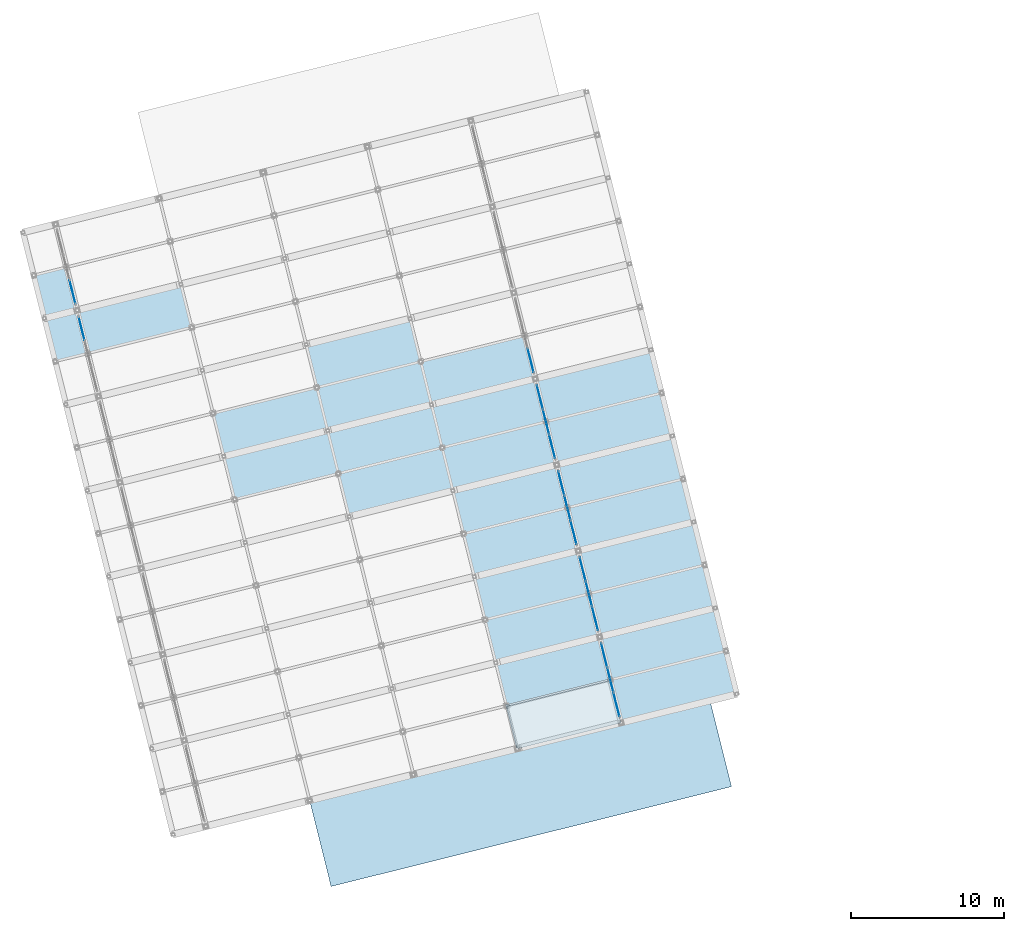
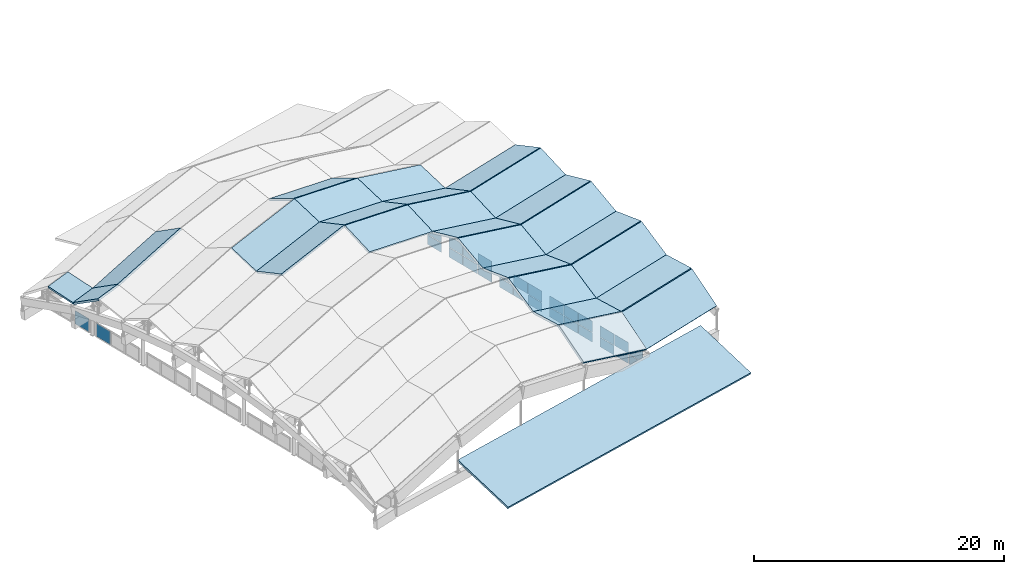
# One storey, part 54 of 65: 28 plates, 27 slabs, 7 elements without a shape of their own.
"""IFC4 building model written with IfcOpenShell, lengths in metres."""

import ifcopenshell
import ifcopenshell.guid

model = None  # the IFC model being written
_history = None  # IfcOwnerHistory: only IFC2X3 demands one
_inside = {}  # id of a spatial element -> (the spatial element, [elements in it])
_under = {}  # id of a project, library or spatial element -> (it, [spatial elements below it])
_declared = {}  # id of a project -> (the project, [libraries it declares])
_typed = {}  # id of a type object -> (the type object, [elements of that type])
_made_of = {}  # id of a material, layer set ... -> (it, [elements and type objects made of it])


def new_model(schema):
    """Start an empty IFC model of exactly this schema.

    Asked for "IFC4X3", IfcOpenShell would pick the latest addendum, in which some entities
    have other attributes; the version numbers below select the first issue.
    IFC2X3 requires an IfcOwnerHistory on every rooted entity: one is made here for all.
    """
    global model, _history
    if schema == "IFC4X3":
        model = ifcopenshell.file(schema_version=(4, 3, 0, 0))
    else:
        model = ifcopenshell.file(schema=schema)
    _inside.clear()
    _under.clear()
    _declared.clear()
    _typed.clear()
    _made_of.clear()
    _history = None
    if model.schema == "IFC2X3":
        org = make("IfcOrganization", Name="unknown")
        user = make(
            "IfcPersonAndOrganization",
            ThePerson=make("IfcPerson", FamilyName="unknown"),
            TheOrganization=org,
        )
        app = make(
            "IfcApplication",
            ApplicationDeveloper=org,
            Version="unknown",
            ApplicationFullName="unknown",
            ApplicationIdentifier="unknown",
        )
        _history = make(
            "IfcOwnerHistory",
            OwningUser=user,
            OwningApplication=app,
            ChangeAction="ADDED",
            CreationDate=0,
        )
    return model


def make(cls, **values):
    """One entity of the class cls with the attributes given. An attribute that is None is left unset."""
    return model.create_entity(
        cls, **{name: value for name, value in values.items() if value is not None}
    )


def rooted(cls, **values):
    """An entity with a GlobalId (a new one), such as an element, a storey or a relation."""
    return make(cls, GlobalId=ifcopenshell.guid.new(), OwnerHistory=_history, **values)


def si_unit(unit_type, name, prefix=None):
    """IfcSIUnit, for example si_unit("LENGTHUNIT", "METRE", prefix="MILLI")."""
    return make("IfcSIUnit", UnitType=unit_type, Prefix=prefix, Name=name)


def assignment(units):
    """IfcUnitAssignment: the units of a project."""
    return None if units is None else make("IfcUnitAssignment", Units=units)


def point(xyz):
    """IfcCartesianPoint."""
    return None if xyz is None else make("IfcCartesianPoint", Coordinates=xyz)


def direction(xyz):
    """IfcDirection."""
    return None if xyz is None else make("IfcDirection", DirectionRatios=xyz)


def frame(location, z_axis=None, x_axis=None):
    """IfcAxis2Placement3D, a coordinate frame: its origin and axes. An axis left out is left unset."""
    return make(
        "IfcAxis2Placement3D",
        Location=point(location),
        Axis=direction(z_axis),
        RefDirection=direction(x_axis),
    )


def frame_2d(location, x_axis=None):
    """IfcAxis2Placement2D, a coordinate frame in the plane: its origin and x axis."""
    return make(
        "IfcAxis2Placement2D", Location=point(location), RefDirection=direction(x_axis)
    )


def origin():
    """The frame at (0, 0, 0) with its axes left unset."""
    return frame((0.0, 0.0, 0.0))


def origin_2d():
    """The frame at (0, 0) in the plane with its x axis left unset."""
    return frame_2d((0.0, 0.0))


def place(relative_to, where):
    """IfcLocalPlacement: puts the frame where relative to a parent placement (None: the world)."""
    return make(
        "IfcLocalPlacement", PlacementRelTo=relative_to, RelativePlacement=where
    )


def context(
    kind, dimensions, precision=None, world=None, true_north=None, identifier=None
):
    """IfcGeometricRepresentationContext, for example the 3D "Model" context."""
    return make(
        "IfcGeometricRepresentationContext",
        ContextIdentifier=identifier,
        ContextType=kind,
        CoordinateSpaceDimension=dimensions,
        Precision=precision,
        WorldCoordinateSystem=world,
        TrueNorth=true_north,
    )


def subcontext(parent, identifier, kind, view, scale=None):
    """IfcGeometricRepresentationSubContext, for example "Body" below "Model"."""
    return make(
        "IfcGeometricRepresentationSubContext",
        ContextIdentifier=identifier,
        ContextType=kind,
        ParentContext=parent,
        TargetScale=scale,
        TargetView=view,
    )


def project(units=None, contexts=None):
    """IfcProject with its units and contexts."""
    return rooted(
        "IfcProject",
        Name="project",
        RepresentationContexts=contexts,
        UnitsInContext=assignment(units),
    )


def spatial(cls, under=None, at=None, **own):
    """A site, building, storey or space (cls), placed at a placement, below another one or the project."""
    s = rooted(cls, ObjectPlacement=at, **own)
    if under is not None:
        _under.setdefault(under.id(), (under, []))[1].append(s)
    return s


def polyline(points):
    """IfcPolyline through the points."""
    return make("IfcPolyline", Points=[point(p) for p in points])


def profile(cls, at=None, kind="AREA", **sizes):
    """A parametric profile (cls). Its sizes go by their IFC names, for example OverallWidth=200.0."""
    return make(cls, ProfileType=kind, Position=at, **sizes)


def rectangle(**sizes):
    """IfcRectangleProfileDef."""
    return profile("IfcRectangleProfileDef", **sizes)


def outline(outer, holes=None, kind="AREA"):
    """IfcArbitraryClosedProfileDef: a profile drawn as a closed curve; with holes, ...WithVoids."""
    if holes is None:
        return make("IfcArbitraryClosedProfileDef", ProfileType=kind, OuterCurve=outer)
    return make(
        "IfcArbitraryProfileDefWithVoids",
        ProfileType=kind,
        OuterCurve=outer,
        InnerCurves=holes,
    )


def extrude(swept, where, along, depth):
    """IfcExtrudedAreaSolid: the profile swept, set in the frame where, extruded along a direction by depth."""
    return make(
        "IfcExtrudedAreaSolid",
        SweptArea=swept,
        Position=where,
        ExtrudedDirection=direction(along),
        Depth=depth,
    )


def shape(context_of_items, identifier, shape_type, items):
    """IfcShapeRepresentation: the items that make up one representation, for example the "Body"."""
    return make(
        "IfcShapeRepresentation",
        ContextOfItems=context_of_items,
        RepresentationIdentifier=identifier,
        RepresentationType=shape_type,
        Items=items,
    )


def material(Name=None, Category=None):
    """IfcMaterial."""
    return make("IfcMaterial", Name=Name, Category=Category)


def layer(
    of_material, thickness, ventilated=None, Name=None, Category=None, Priority=None
):
    """IfcMaterialLayer: one layer of a wall or slab, of a material (None: an air gap)."""
    return make(
        "IfcMaterialLayer",
        Material=of_material,
        LayerThickness=thickness,
        IsVentilated=ventilated,
        Name=Name,
        Category=Category,
        Priority=Priority,
    )


def layer_set(layers, Name=None):
    """IfcMaterialLayerSet."""
    return make("IfcMaterialLayerSet", MaterialLayers=layers, LayerSetName=Name)


def made_of(thing, what):
    """Note that an element or type object is made of a material, layer set ...; save() writes the relation."""
    if what is not None:
        _made_of.setdefault(what.id(), (what, []))[1].append(thing)
    return thing


def type_object(cls, material=None, **own):
    """A type object (cls), such as IfcWallType, which elements share."""
    return made_of(rooted(cls, **own), material)


def element(
    cls,
    number,
    at=None,
    inside=None,
    cuts=None,
    type_object=None,
    material=None,
    context=None,
    identifier="Body",
    shape_type=None,
    held_by="IfcProductDefinitionShape",
    body=None,
    shapes=None,
    **own,
):
    """One element of the class cls, such as IfcWall. Its Tag is "e" and its number.

    at: its placement. inside: the storey or other place that contains it. cuts: it is an
    opening in that element (IfcRelVoidsElement). A single representation is given by context,
    identifier, shape_type and body (its items); several are given by shapes. held_by: the class
    of the entity that holds the representations. save() writes the other relations.
    """
    e = rooted(cls, Tag="e%d" % number, ObjectPlacement=at, **own)
    if body is not None:
        shapes = [shape(context, identifier, shape_type, body)]
    if shapes is not None:
        e.Representation = make(held_by, Representations=shapes)
    if inside is not None:
        _inside.setdefault(inside.id(), (inside, []))[1].append(e)
    if cuts is not None:
        rooted(
            "IfcRelVoidsElement", RelatingBuildingElement=cuts, RelatedOpeningElement=e
        )
    if type_object is not None:
        _typed.setdefault(type_object.id(), (type_object, []))[1].append(e)
    return made_of(e, material)


def aggregate(whole, parts):
    """IfcRelAggregates: a whole, such as a stair, and the parts it consists of."""
    return rooted("IfcRelAggregates", RelatingObject=whole, RelatedObjects=parts)


def save(model, path):
    """Write the relations noted so far, then the file.

    IfcRelAggregates (storeys below a building ...), IfcRelContainedInSpatialStructure (elements
    in a storey), IfcRelDefinesByType, IfcRelAssociatesMaterial and IfcRelDeclares: one each for
    every whole, place, type object, material and project.
    """
    for whole, parts in _under.values():
        aggregate(whole, parts)
    for where, things in _inside.values():
        rooted(
            "IfcRelContainedInSpatialStructure",
            RelatedElements=things,
            RelatingStructure=where,
        )
    for kind, things in _typed.values():
        rooted("IfcRelDefinesByType", RelatedObjects=things, RelatingType=kind)
    for what, things in _made_of.values():
        rooted("IfcRelAssociatesMaterial", RelatedObjects=things, RelatingMaterial=what)
    for by, libraries in _declared.values():
        rooted("IfcRelDeclares", RelatingContext=by, RelatedDefinitions=libraries)
    model.write(path)


model = new_model("IFC4")

# Units and contexts
model_context = context("Model", 3, precision=1e-05, world=origin(), true_north=direction((0.0, 1.0)))
body_context = subcontext(model_context, "Body", "Model", "MODEL_VIEW")
ifc_project = project(units=[si_unit("LENGTHUNIT", "METRE"), si_unit("AREAUNIT", "SQUARE_METRE"), si_unit("VOLUMEUNIT", "CUBIC_METRE"), si_unit("PLANEANGLEUNIT", "RADIAN"), si_unit("MASSUNIT", "GRAM", prefix="KILO")], contexts=[model_context])

# Site, building, storey
site_placement = place(None, origin())
site = spatial("IfcSite", under=ifc_project, at=site_placement, CompositionType="ELEMENT")
building_placement = place(site_placement, origin())
building = spatial("IfcBuilding", under=site, at=building_placement, Name="Cinderway Yard Community Centre", CompositionType="ELEMENT")
storey_placement = place(building_placement, frame((0.0, 0.0, 24.300048828125)))
storey = spatial("IfcBuildingStorey", under=building, at=storey_placement, Name="RF", CompositionType="ELEMENT", Elevation=24.300048828125)

# Curtain wall, plates
ifc_material_1 = material(Name="Aluminium 6063-T6", Category="aluminium")
curtain_wall_type_1 = type_object("IfcCurtainWallType", Name="ENV-CW-TYPE-10", PredefinedType="USERDEFINED", material=ifc_material_1)
curtain_wall_1_placement = place(storey_placement, origin())
curtain_wall_1 = element("IfcCurtainWall", 1, at=curtain_wall_1_placement, inside=storey, type_object=curtain_wall_type_1, Name="Main Hall East Clerestory Curtain Wall ENV-CW-RF-HS-0030", ObjectType="GLAZED CURTAIN WALL", PredefinedType="USERDEFINED")
ifc_material_2 = material(Name="Laminated Low-E Glass", Category="glass")
ifc_layer_1 = layer(ifc_material_2, 0.031982421875, Name="Laminated Low-E Glass")
ifc_layer_set_1 = layer_set([ifc_layer_1], Name="Laminated Low-E Glass")
plate_type = type_object("IfcPlateType", Name="ENV-CW-PAN-IGU32", PredefinedType="CURTAIN_PANEL", material=ifc_layer_set_1)
plate_1_placement = place(storey_placement, frame((46.67919921875, 33.08935546875, -11.35986328125), z_axis=(0.0, 0.0, 1.0), x_axis=(-0.24192850896, 0.970294077356, 0.0)))
plate_1 = element("IfcPlate", 2, at=plate_1_placement, type_object=plate_type, Name="CW-10 panel 1.1", PredefinedType="CURTAIN_PANEL", context=body_context, shape_type="SweptSolid", body=[
    extrude(rectangle(XDim=1.589599609375, YDim=0.028076171875, at=origin_2d()), origin(), (0.0, 0.0, 1.0), 0.909912109375),
])
plate_2_placement = place(storey_placement, frame((46.67919921875, 33.08935546875, -10.39013671875), z_axis=(0.0, 0.0, 1.0), x_axis=(-0.24192850896, 0.970294077356, 0.0)))
plate_2 = element("IfcPlate", 3, at=plate_2_placement, type_object=plate_type, Name="CW-10 panel 1.2", PredefinedType="CURTAIN_PANEL", context=body_context, shape_type="SweptSolid", body=[
    extrude(rectangle(XDim=1.589599609375, YDim=0.028076171875, at=origin_2d()), origin(), (0.0, 0.0, 1.0), 1.080078125),
])
plate_3_placement = place(storey_placement, frame((46.276611328125, 34.70458984375, -11.35986328125), z_axis=(0.0, 0.0, 1.0), x_axis=(-0.24192850896, 0.970294077356, 0.0)))
plate_3 = element("IfcPlate", 4, at=plate_3_placement, type_object=plate_type, Name="CW-10 panel 2.1", PredefinedType="CURTAIN_PANEL", context=body_context, shape_type="SweptSolid", body=[
    extrude(rectangle(XDim=1.61962890625, YDim=0.028076171875, at=origin_2d()), origin(), (0.0, 0.0, 1.0), 0.909912109375),
])
plate_4_placement = place(storey_placement, frame((46.276611328125, 34.70458984375, -10.39013671875), z_axis=(0.0, 0.0, 1.0), x_axis=(-0.24192850896, 0.970294077356, 0.0)))
plate_4 = element("IfcPlate", 5, at=plate_4_placement, type_object=plate_type, Name="CW-10 panel 2.2", PredefinedType="CURTAIN_PANEL", context=body_context, shape_type="SweptSolid", body=[
    extrude(rectangle(XDim=1.61962890625, YDim=0.028076171875, at=origin_2d()), origin(), (0.0, 0.0, 1.0), 1.080078125),
])
plate_5_placement = place(storey_placement, frame((45.873779296875, 36.319580078125, -11.35986328125), z_axis=(0.0, 0.0, 1.0), x_axis=(-0.24192850896, 0.970294077356, 0.0)))
plate_5 = element("IfcPlate", 6, at=plate_5_placement, type_object=plate_type, Name="CW-10 panel 3.1", PredefinedType="CURTAIN_PANEL", context=body_context, shape_type="SweptSolid", body=[
    extrude(rectangle(XDim=1.589599609375, YDim=0.028076171875, at=origin_2d()), origin(), (0.0, 0.0, 1.0), 0.909912109375),
])
plate_6_placement = place(storey_placement, frame((45.873779296875, 36.319580078125, -10.39013671875), z_axis=(0.0, 0.0, 1.0), x_axis=(-0.24192850896, 0.970294077356, 0.0)))
plate_6 = element("IfcPlate", 7, at=plate_6_placement, type_object=plate_type, Name="CW-10 panel 3.2", PredefinedType="CURTAIN_PANEL", context=body_context, shape_type="SweptSolid", body=[
    extrude(rectangle(XDim=1.589599609375, YDim=0.028076171875, at=origin_2d()), origin(), (0.0, 0.0, 1.0), 1.080078125),
])
aggregate(curtain_wall_1, [plate_1, plate_2, plate_3, plate_4, plate_5, plate_6])

curtain_wall_2_placement = place(storey_placement, origin())
curtain_wall_2 = element("IfcCurtainWall", 8, at=curtain_wall_2_placement, inside=storey, type_object=curtain_wall_type_1, Name="Main Hall East Clerestory Curtain Wall ENV-CW-RF-HS-0031", ObjectType="GLAZED CURTAIN WALL", PredefinedType="USERDEFINED")
plate_7_placement = place(storey_placement, frame((45.276123046875, 38.716552734375, -11.35986328125), z_axis=(0.0, 0.0, 1.0), x_axis=(-0.242068733434, 0.97025910369, 0.0)))
plate_7 = element("IfcPlate", 9, at=plate_7_placement, type_object=plate_type, Name="CW-10 panel 1.1", PredefinedType="CURTAIN_PANEL", context=body_context, shape_type="SweptSolid", body=[
    extrude(rectangle(XDim=1.58984375, YDim=0.028076171875, at=origin_2d()), origin(), (0.0, 0.0, 1.0), 0.909912109375),
])
plate_8_placement = place(storey_placement, frame((45.276123046875, 38.716552734375, -10.39013671875), z_axis=(0.0, 0.0, 1.0), x_axis=(-0.242068733434, 0.97025910369, 0.0)))
plate_8 = element("IfcPlate", 10, at=plate_8_placement, type_object=plate_type, Name="CW-10 panel 1.2", PredefinedType="CURTAIN_PANEL", context=body_context, shape_type="SweptSolid", body=[
    extrude(rectangle(XDim=1.58984375, YDim=0.028076171875, at=origin_2d()), origin(), (0.0, 0.0, 1.0), 1.080078125),
])
plate_9_placement = place(storey_placement, frame((44.873046875, 40.33203125, -11.35986328125), z_axis=(0.0, 0.0, 1.0), x_axis=(-0.242068733434, 0.97025910369, 0.0)))
plate_9 = element("IfcPlate", 11, at=plate_9_placement, type_object=plate_type, Name="CW-10 panel 2.1", PredefinedType="CURTAIN_PANEL", context=body_context, shape_type="SweptSolid", body=[
    extrude(rectangle(XDim=1.619873046875, YDim=0.028076171875, at=origin_2d()), origin(), (0.0, 0.0, 1.0), 0.909912109375),
])
plate_10_placement = place(storey_placement, frame((44.873046875, 40.33203125, -10.39013671875), z_axis=(0.0, 0.0, 1.0), x_axis=(-0.242068733434, 0.97025910369, 0.0)))
plate_10 = element("IfcPlate", 12, at=plate_10_placement, type_object=plate_type, Name="CW-10 panel 2.2", PredefinedType="CURTAIN_PANEL", context=body_context, shape_type="SweptSolid", body=[
    extrude(rectangle(XDim=1.619873046875, YDim=0.028076171875, at=origin_2d()), origin(), (0.0, 0.0, 1.0), 1.080078125),
])
plate_11_placement = place(storey_placement, frame((44.469970703125, 41.947509765625, -11.35986328125), z_axis=(0.0, 0.0, 1.0), x_axis=(-0.242068733434, 0.97025910369, 0.0)))
plate_11 = element("IfcPlate", 13, at=plate_11_placement, type_object=plate_type, Name="CW-10 panel 3.1", PredefinedType="CURTAIN_PANEL", context=body_context, shape_type="SweptSolid", body=[
    extrude(rectangle(XDim=1.58984375, YDim=0.028076171875, at=origin_2d()), origin(), (0.0, 0.0, 1.0), 0.909912109375),
])
plate_12_placement = place(storey_placement, frame((44.469970703125, 41.947509765625, -10.39013671875), z_axis=(0.0, 0.0, 1.0), x_axis=(-0.242068733434, 0.97025910369, 0.0)))
plate_12 = element("IfcPlate", 14, at=plate_12_placement, type_object=plate_type, Name="CW-10 panel 3.2", PredefinedType="CURTAIN_PANEL", context=body_context, shape_type="SweptSolid", body=[
    extrude(rectangle(XDim=1.58984375, YDim=0.028076171875, at=origin_2d()), origin(), (0.0, 0.0, 1.0), 1.080078125),
])
aggregate(curtain_wall_2, [plate_7, plate_8, plate_9, plate_10, plate_11, plate_12])

curtain_wall_3_placement = place(storey_placement, origin())
curtain_wall_3 = element("IfcCurtainWall", 15, at=curtain_wall_3_placement, inside=storey, type_object=curtain_wall_type_1, Name="Main Hall East Clerestory Curtain Wall ENV-CW-RF-HS-0032", ObjectType="GLAZED CURTAIN WALL", PredefinedType="USERDEFINED")
plate_13_placement = place(storey_placement, frame((43.872314453125, 44.344482421875, -11.35986328125), z_axis=(0.0, 0.0, 1.0), x_axis=(-0.241881929678, 0.970305690025, 0.0)))
plate_13 = element("IfcPlate", 16, at=plate_13_placement, type_object=plate_type, Name="CW-10 panel 1.1", PredefinedType="CURTAIN_PANEL", context=body_context, shape_type="SweptSolid", body=[
    extrude(rectangle(XDim=1.58984375, YDim=0.028076171875, at=origin_2d()), origin(), (0.0, 0.0, 1.0), 0.909912109375),
])
plate_14_placement = place(storey_placement, frame((43.872314453125, 44.344482421875, -10.39013671875), z_axis=(0.0, 0.0, 1.0), x_axis=(-0.241881929678, 0.970305690025, 0.0)))
plate_14 = element("IfcPlate", 17, at=plate_14_placement, type_object=plate_type, Name="CW-10 panel 1.2", PredefinedType="CURTAIN_PANEL", context=body_context, shape_type="SweptSolid", body=[
    extrude(rectangle(XDim=1.58984375, YDim=0.028076171875, at=origin_2d()), origin(), (0.0, 0.0, 1.0), 1.080078125),
])
plate_15_placement = place(storey_placement, frame((43.469482421875, 45.9599609375, -11.35986328125), z_axis=(0.0, 0.0, 1.0), x_axis=(-0.241881929678, 0.970305690025, 0.0)))
plate_15 = element("IfcPlate", 18, at=plate_15_placement, type_object=plate_type, Name="CW-10 panel 2.1", PredefinedType="CURTAIN_PANEL", context=body_context, shape_type="SweptSolid", body=[
    extrude(rectangle(XDim=1.619873046875, YDim=0.028076171875, at=origin_2d()), origin(), (0.0, 0.0, 1.0), 0.909912109375),
])
plate_16_placement = place(storey_placement, frame((43.469482421875, 45.9599609375, -10.39013671875), z_axis=(0.0, 0.0, 1.0), x_axis=(-0.241881929678, 0.970305690025, 0.0)))
plate_16 = element("IfcPlate", 19, at=plate_16_placement, type_object=plate_type, Name="CW-10 panel 2.2", PredefinedType="CURTAIN_PANEL", context=body_context, shape_type="SweptSolid", body=[
    extrude(rectangle(XDim=1.619873046875, YDim=0.028076171875, at=origin_2d()), origin(), (0.0, 0.0, 1.0), 1.080078125),
])
plate_17_placement = place(storey_placement, frame((43.06689453125, 47.575439453125, -11.35986328125), z_axis=(0.0, 0.0, 1.0), x_axis=(-0.241881929678, 0.970305690025, 0.0)))
plate_17 = element("IfcPlate", 20, at=plate_17_placement, type_object=plate_type, Name="CW-10 panel 3.1", PredefinedType="CURTAIN_PANEL", context=body_context, shape_type="SweptSolid", body=[
    extrude(rectangle(XDim=1.58984375, YDim=0.028076171875, at=origin_2d()), origin(), (0.0, 0.0, 1.0), 0.909912109375),
])
plate_18_placement = place(storey_placement, frame((43.06689453125, 47.575439453125, -10.39013671875), z_axis=(0.0, 0.0, 1.0), x_axis=(-0.241881929678, 0.970305690025, 0.0)))
plate_18 = element("IfcPlate", 21, at=plate_18_placement, type_object=plate_type, Name="CW-10 panel 3.2", PredefinedType="CURTAIN_PANEL", context=body_context, shape_type="SweptSolid", body=[
    extrude(rectangle(XDim=1.58984375, YDim=0.028076171875, at=origin_2d()), origin(), (0.0, 0.0, 1.0), 1.080078125),
])
aggregate(curtain_wall_3, [plate_13, plate_14, plate_15, plate_16, plate_17, plate_18])

curtain_wall_4_placement = place(storey_placement, origin())
curtain_wall_4 = element("IfcCurtainWall", 22, at=curtain_wall_4_placement, inside=storey, type_object=curtain_wall_type_1, Name="Main Hall East Clerestory Curtain Wall ENV-CW-RF-HS-0033", ObjectType="GLAZED CURTAIN WALL", PredefinedType="USERDEFINED")
plate_19_placement = place(storey_placement, frame((42.46923828125, 49.97265625, -11.35986328125), z_axis=(0.0, 0.0, 1.0), x_axis=(-0.241881929678, 0.970305690025, 0.0)))
plate_19 = element("IfcPlate", 23, at=plate_19_placement, type_object=plate_type, Name="CW-10 panel 1.1", PredefinedType="CURTAIN_PANEL", context=body_context, shape_type="SweptSolid", body=[
    extrude(rectangle(XDim=1.58984375, YDim=0.028076171875, at=origin_2d()), origin(), (0.0, 0.0, 1.0), 0.909912109375),
])
plate_20_placement = place(storey_placement, frame((42.46923828125, 49.97265625, -10.39013671875), z_axis=(0.0, 0.0, 1.0), x_axis=(-0.241881929678, 0.970305690025, 0.0)))
plate_20 = element("IfcPlate", 24, at=plate_20_placement, type_object=plate_type, Name="CW-10 panel 1.2", PredefinedType="CURTAIN_PANEL", context=body_context, shape_type="SweptSolid", body=[
    extrude(rectangle(XDim=1.58984375, YDim=0.028076171875, at=origin_2d()), origin(), (0.0, 0.0, 1.0), 1.080078125),
])
plate_21_placement = place(storey_placement, frame((42.06640625, 51.587890625, -11.35986328125), z_axis=(0.0, 0.0, 1.0), x_axis=(-0.241881929678, 0.970305690025, 0.0)))
plate_21 = element("IfcPlate", 25, at=plate_21_placement, type_object=plate_type, Name="CW-10 panel 2.1", PredefinedType="CURTAIN_PANEL", context=body_context, shape_type="SweptSolid", body=[
    extrude(rectangle(XDim=1.619873046875, YDim=0.028076171875, at=origin_2d()), origin(), (0.0, 0.0, 1.0), 0.909912109375),
])
plate_22_placement = place(storey_placement, frame((42.06640625, 51.587890625, -10.39013671875), z_axis=(0.0, 0.0, 1.0), x_axis=(-0.241881929678, 0.970305690025, 0.0)))
plate_22 = element("IfcPlate", 26, at=plate_22_placement, type_object=plate_type, Name="CW-10 panel 2.2", PredefinedType="CURTAIN_PANEL", context=body_context, shape_type="SweptSolid", body=[
    extrude(rectangle(XDim=1.619873046875, YDim=0.028076171875, at=origin_2d()), origin(), (0.0, 0.0, 1.0), 1.080078125),
])
plate_23_placement = place(storey_placement, frame((41.663818359375, 53.203369140625, -11.35986328125), z_axis=(0.0, 0.0, 1.0), x_axis=(-0.241881929678, 0.970305690025, 0.0)))
plate_23 = element("IfcPlate", 27, at=plate_23_placement, type_object=plate_type, Name="CW-10 panel 3.1", PredefinedType="CURTAIN_PANEL", context=body_context, shape_type="SweptSolid", body=[
    extrude(rectangle(XDim=1.58984375, YDim=0.028076171875, at=origin_2d()), origin(), (0.0, 0.0, 1.0), 0.909912109375),
])
plate_24_placement = place(storey_placement, frame((41.663818359375, 53.203369140625, -10.39013671875), z_axis=(0.0, 0.0, 1.0), x_axis=(-0.241881929678, 0.970305690025, 0.0)))
plate_24 = element("IfcPlate", 28, at=plate_24_placement, type_object=plate_type, Name="CW-10 panel 3.2", PredefinedType="CURTAIN_PANEL", context=body_context, shape_type="SweptSolid", body=[
    extrude(rectangle(XDim=1.58984375, YDim=0.028076171875, at=origin_2d()), origin(), (0.0, 0.0, 1.0), 1.080078125),
])
aggregate(curtain_wall_4, [plate_19, plate_20, plate_21, plate_22, plate_23, plate_24])

curtain_wall_5_placement = place(storey_placement, origin())
curtain_wall_5 = element("IfcCurtainWall", 29, at=curtain_wall_5_placement, inside=storey, type_object=curtain_wall_type_1, Name="Main Hall East Clerestory Curtain Wall ENV-CW-RF-HS-0034", ObjectType="GLAZED CURTAIN WALL", PredefinedType="USERDEFINED")
plate_25_placement = place(storey_placement, frame((41.066162109375, 55.600341796875, -11.35986328125), z_axis=(0.0, 0.0, 1.0), x_axis=(-0.24192850896, 0.970294077356, 0.0)))
plate_25 = element("IfcPlate", 30, at=plate_25_placement, type_object=plate_type, Name="CW-10 panel 1.1", PredefinedType="CURTAIN_PANEL", context=body_context, shape_type="SweptSolid", body=[
    extrude(rectangle(XDim=1.589599609375, YDim=0.028076171875, at=origin_2d()), origin(), (0.0, 0.0, 1.0), 0.909912109375),
])
plate_26_placement = place(storey_placement, frame((41.066162109375, 55.600341796875, -10.39013671875), z_axis=(0.0, 0.0, 1.0), x_axis=(-0.24192850896, 0.970294077356, 0.0)))
plate_26 = element("IfcPlate", 31, at=plate_26_placement, type_object=plate_type, Name="CW-10 panel 1.2", PredefinedType="CURTAIN_PANEL", context=body_context, shape_type="SweptSolid", body=[
    extrude(rectangle(XDim=1.589599609375, YDim=0.028076171875, at=origin_2d()), origin(), (0.0, 0.0, 1.0), 1.080078125),
])
aggregate(curtain_wall_5, [plate_25, plate_26])

# Curtain wall, plate
curtain_wall_type_2 = type_object("IfcCurtainWallType", Name="ENV-CW-TYPE-11", PredefinedType="USERDEFINED", material=ifc_material_1)
curtain_wall_6_placement = place(storey_placement, origin())
curtain_wall_6 = element("IfcCurtainWall", 32, at=curtain_wall_6_placement, inside=storey, type_object=curtain_wall_type_2, Name="Main Hall West Clerestory Curtain Wall ENV-CW-RF-HS-0042", ObjectType="GLAZED CURTAIN WALL", PredefinedType="USERDEFINED")
plate_27_placement = place(storey_placement, frame((11.689697265625, 57.684326171875, -11.33984375), z_axis=(0.0, 0.0, 1.0), x_axis=(-0.241881929678, 0.970305690025, 0.0)))
plate_27 = element("IfcPlate", 33, at=plate_27_placement, type_object=plate_type, Name="CW-11 panel 3.1", PredefinedType="CURTAIN_PANEL", context=body_context, shape_type="SweptSolid", body=[
    extrude(rectangle(XDim=1.58984375, YDim=0.028076171875, at=origin_2d()), origin(), (0.0, 0.0, 1.0), 1.280029296875),
])
aggregate(curtain_wall_6, [plate_27])

curtain_wall_7_placement = place(storey_placement, origin())
curtain_wall_7 = element("IfcCurtainWall", 34, at=curtain_wall_7_placement, inside=storey, type_object=curtain_wall_type_2, Name="Main Hall West Clerestory Curtain Wall ENV-CW-RF-HS-0043", ObjectType="GLAZED CURTAIN WALL", PredefinedType="USERDEFINED")
plate_28_placement = place(storey_placement, frame((11.092041015625, 60.08154296875, -11.33984375), z_axis=(0.0, 0.0, 1.0), x_axis=(-0.242068733434, 0.97025910369, 0.0)))
plate_28 = element("IfcPlate", 35, at=plate_28_placement, type_object=plate_type, Name="CW-11 panel 1.1", PredefinedType="CURTAIN_PANEL", context=body_context, shape_type="SweptSolid", body=[
    extrude(rectangle(XDim=1.58984375, YDim=0.028076171875, at=origin_2d()), origin(), (0.0, 0.0, 1.0), 1.280029296875),
])
aggregate(curtain_wall_7, [plate_28])

# Slabs
ifc_material_3 = material(Name="Concrete C40/50", Category="concrete")
ifc_layer_2 = layer(ifc_material_3, 0.199951171875, Name="Concrete C40/50")
ifc_layer_set_2 = layer_set([ifc_layer_2], Name="Concrete C40/50")
slab_type_1 = type_object("IfcSlabType", Name="STR-SLAB-ROOF-FP200", PredefinedType="ROOF", material=ifc_layer_set_2)
slab_1_placement = place(storey_placement, frame((40.18603515625, 30.197021484375, -6.800048828125), z_axis=(0.367855813042, -0.515080827623, 0.774192380372), x_axis=(0.929350911172, 0.231803234099, -0.287357172462)))
element("IfcSlab", 36, at=slab_1_placement, inside=storey, type_object=slab_type_1, Name="Folded-plate roof facet B1.P1.U5", PredefinedType="ROOF", context=body_context, shape_type="SweptSolid", body=[
    extrude(outline(polyline([(0.0, 0.0), (7.308318209895279, 0.0), (6.683293960902485, 3.538265260173841), (-0.6250242489927944, 3.5382652601738407), (0.0, 0.0)])), origin(), (0.0, 0.0, -1.0), 0.199951171875),
])
slab_2_placement = place(storey_placement, frame((46.97802734375, 31.89111328125, -8.900146484375), z_axis=(0.101773430743, -0.597833189487, 0.795133728591), x_axis=(0.96867987924, 0.2415361015, 0.057615998023)))
element("IfcSlab", 37, at=slab_2_placement, inside=storey, type_object=slab_type_1, Name="Folded-plate roof facet B1.P1.U6", PredefinedType="ROOF", context=body_context, shape_type="SweptSolid", body=[
    extrude(outline(polyline([(0.0, 0.0), (7.812552569707671, -4.440892098500626e-16), (7.937870895458135, 3.5906645343950276), (0.12509589804508803, 3.5908672173042895), (0.0, 0.0)])), origin(), (0.0, 0.0, -1.0), 0.199951171875),
])
slab_3_placement = place(storey_placement, frame((39.47412109375, 33.050048828125, -4.595947265625), z_axis=(0.267198431237, 0.114824248244, 0.956776039813), x_axis=(0.929391665719, 0.231647225922, -0.287351169154)))
element("IfcSlab", 38, at=slab_3_placement, inside=storey, type_object=slab_type_1, Name="Folded-plate roof facet B1.P2.U5", PredefinedType="ROOF", context=body_context, shape_type="SweptSolid", body=[
    extrude(outline(polyline([(0.0, 0.0), (7.308035342264752, 3.0531133177191805e-16), (7.348728318664026, 2.863050308525759), (0.04070657599479014, 2.862825411422487), (0.0, 0.0)])), origin(), (0.0, 0.0, -1.0), 0.199951171875),
])
slab_4_placement = place(storey_placement, frame((46.26611328125, 34.742919921875, -6.696044921875), z_axis=(-0.067612883166, 0.03341730534, 0.997151834845), x_axis=(0.968690216682, 0.241500923289, 0.057589653195)))
element("IfcSlab", 39, at=slab_4_placement, inside=storey, type_object=slab_type_1, Name="Folded-plate roof facet B1.P2.U6", PredefinedType="ROOF", context=body_context, shape_type="SweptSolid", body=[
    extrude(outline(polyline([(0.0, 0.0), (7.813484488406923, 0.0), (7.805397098190133, 2.86350494657045), (-0.007377900311992175, 2.86332997933577), (0.0, 0.0)])), origin(), (0.0, 0.0, -1.0), 0.199951171875),
])
slab_5_placement = place(storey_placement, frame((38.782958984375, 35.824951171875, -4.736083984375), z_axis=(0.363842073374, -0.44418051282, 0.81873232358), x_axis=(0.929391311427, 0.231675713201, -0.287329347886)))
element("IfcSlab", 40, at=slab_5_placement, inside=storey, type_object=slab_type_1, Name="Folded-plate roof facet B2.P1.U5", PredefinedType="ROOF", context=body_context, shape_type="SweptSolid", body=[
    extrude(outline(polyline([(0.0, 0.0), (7.308021747099312, -4.440892098500626e-16), (6.786933720307483, 3.3457726810210797), (-0.52103146533841, 3.3459839762392427), (0.0, 0.0)])), origin(), (0.0, 0.0, -1.0), 0.199951171875),
])
slab_6_placement = place(storey_placement, frame((45.574951171875, 37.51806640625, -6.8359375), z_axis=(0.082159406316, -0.5306701056, 0.84358702632), x_axis=(0.968684546771, 0.241523429603, 0.057590639859)))
element("IfcSlab", 41, at=slab_6_placement, inside=storey, type_object=slab_type_1, Name="Folded-plate roof facet B2.P1.U6", PredefinedType="ROOF", context=body_context, shape_type="SweptSolid", body=[
    extrude(outline(polyline([(0.0, 0.0), (7.812775000494121, 2.498001805406602e-16), (7.916926050875135, 3.3845558091140866), (0.10438754563168987, 3.3844986050948727), (0.0, 0.0)])), origin(), (0.0, 0.0, -1.0), 0.199951171875),
])
slab_7_placement = place(storey_placement, frame((38.071044921875, 38.677978515625, -2.905029296875), z_axis=(0.234864052488, 0.229443599152, 0.944560485971), x_axis=(0.929379690244, 0.231676784754, -0.287366071009)))
element("IfcSlab", 42, at=slab_7_placement, inside=storey, type_object=slab_type_1, Name="Folded-plate roof facet B2.P2.U5", PredefinedType="ROOF", context=body_context, shape_type="SweptSolid", body=[
    extrude(outline(polyline([(0.0, 0.0), (7.308091901291369, 2.220446049250313e-16), (7.451957027185376, 2.90006874465122), (0.1438651258940069, 2.90006874465122), (0.0, 0.0)])), origin(), (0.0, 0.0, -1.0), 0.199951171875),
])
slab_8_placement = place(storey_placement, frame((44.863037109375, 40.37109375, -5.005126953125), z_axis=(-0.096810461775, 0.153779047385, 0.983351279593), x_axis=(0.968690321307, 0.241497787685, 0.057601041217)))
element("IfcSlab", 43, at=slab_8_placement, inside=storey, type_object=slab_type_1, Name="Folded-plate roof facet B2.P2.U6", PredefinedType="ROOF", context=body_context, shape_type="SweptSolid", body=[
    extrude(outline(polyline([(0.0, 0.0), (7.813498550337616, 3.3306690738754696e-16), (7.784472706210706, 2.90347389110199), (-0.029248278033182338, 2.90348763024704), (0.0, 0.0)])), origin(), (0.0, 0.0, -1.0), 0.199951171875),
])
slab_9_placement = place(storey_placement, frame((37.37890625, 41.452880859375, -3.406982421875), z_axis=(0.357198263483, -0.368444354352, 0.858287922734), x_axis=(0.929390413775, 0.231665724138, -0.287340305287)))
element("IfcSlab", 44, at=slab_9_placement, inside=storey, type_object=slab_type_1, Name="Folded-plate roof facet B3.P1.U5", PredefinedType="ROOF", context=body_context, shape_type="SweptSolid", body=[
    extrude(outline(polyline([(0.0, 0.0), (7.308091897998329, 2.220446049250313e-16), (6.883831688070601, 3.1913800208897145), (-0.42511125873899747, 3.1916906141380625), (0.0, 0.0)])), origin(), (0.0, 0.0, -1.0), 0.199951171875),
])
slab_10_placement = place(storey_placement, frame((44.1708984375, 43.14599609375, -5.507080078125), z_axis=(0.061333967061, -0.457509018935, 0.887087167125), x_axis=(0.96869168342, 0.241498531486, 0.05757500988)))
element("IfcSlab", 45, at=slab_10_placement, inside=storey, type_object=slab_type_1, Name="Folded-plate roof facet B3.P1.U6", PredefinedType="ROOF", context=body_context, shape_type="SweptSolid", body=[
    extrude(outline(polyline([(0.0, 0.0), (7.8137209848974605, -3.3306690738754696e-16), (7.8988359718221774, 3.2187519380118594), (0.08600201529439377, 3.2183080737551975), (0.0, 0.0)])), origin(), (0.0, 0.0, -1.0), 0.199951171875),
])
slab_11_placement = place(storey_placement, frame((36.66796875, 44.304931640625, -1.9189453125), z_axis=(0.203233252825, 0.328560104085, 0.92235812077), x_axis=(0.929352926919, 0.231806492823, -0.287348024376)))
element("IfcSlab", 46, at=slab_11_placement, inside=storey, type_object=slab_type_1, Name="Folded-plate roof facet B3.P2.U5", PredefinedType="ROOF", context=body_context, shape_type="SweptSolid", body=[
    extrude(outline(polyline([(0.0, 0.0), (7.30831820953582, -1.1102230246251565e-16), (7.548749371158611, 2.9698123534822494), (0.2405579083310909, 2.9700989336579644), (0.0, 0.0)])), origin(), (0.0, 0.0, -1.0), 0.199951171875),
])
slab_12_placement = place(storey_placement, frame((43.4599609375, 45.9990234375, -4.01904296875), z_axis=(-0.121411767085, 0.258449917972, 0.958364660614), x_axis=(0.968685343205, 0.241521277555, 0.057586268738)))
element("IfcSlab", 47, at=slab_12_placement, inside=storey, type_object=slab_type_1, Name="Folded-plate roof facet B3.P2.U6", PredefinedType="ROOF", context=body_context, shape_type="SweptSolid", body=[
    extrude(outline(polyline([(0.0, 0.0), (7.812775000374041, 8.326672684688674e-17), (7.765315832874181, 2.9789809009348343), (-0.04816865383521551, 2.979139530542327), (0.0, 0.0)])), origin(), (0.0, 0.0, -1.0), 0.199951171875),
])
slab_13_placement = place(storey_placement, frame((29.18408203125, 45.386962890625, -1.35498046875), z_axis=(0.266129353411, -0.313925254304, 0.911386911231), x_axis=(0.951460491683, 0.237179069717, -0.196135212683)))
element("IfcSlab", 48, at=slab_13_placement, inside=storey, type_object=slab_type_1, Name="Folded-plate roof facet B4.P1.U4", PredefinedType="ROOF", context=body_context, shape_type="SweptSolid", body=[
    extrude(outline(polyline([(0.0, 0.0), (7.138501750939964, 0.0), (6.910991374651779, 3.07705167248807), (-0.22745247124186685, 3.077276122189243), (0.0, 0.0)])), origin(), (0.0, 0.0, -1.0), 0.199951171875),
])
slab_14_placement = place(storey_placement, frame((35.97607421875, 47.080078125, -2.755126953125), z_axis=(0.347423216546, -0.285990187489, 0.893032318153), x_axis=(0.92936536867, 0.231775213837, -0.28733301545)))
element("IfcSlab", 49, at=slab_14_placement, inside=storey, type_object=slab_type_1, Name="Folded-plate roof facet B4.P1.U5", PredefinedType="ROOF", context=body_context, shape_type="SweptSolid", body=[
    extrude(outline(polyline([(0.0, 0.0), (7.308191468722515, 0.0), (6.975432079862617, 3.0676756915041405), (-0.33281597460546475, 3.0674486945632125), (0.0, 0.0)])), origin(), (0.0, 0.0, -1.0), 0.199951171875),
])
slab_15_placement = place(storey_placement, frame((42.76806640625, 48.77392578125, -4.85498046875), z_axis=(0.038845427808, -0.376526075148, 0.925591242111), x_axis=(0.968690454514, 0.241500588883, 0.057587054992)))
element("IfcSlab", 50, at=slab_15_placement, inside=storey, type_object=slab_type_1, Name="Folded-plate roof facet B4.P1.U6", PredefinedType="ROOF", context=body_context, shape_type="SweptSolid", body=[
    extrude(outline(polyline([(0.0, 0.0), (7.813484488444715, -4.718447854656915e-16), (7.880135818416084, 3.084895891565536), (0.06641483327837272, 3.0849557582300458), (0.0, 0.0)])), origin(), (0.0, 0.0, -1.0), 0.199951171875),
])
slab_16_placement = place(storey_placement, frame((21.680908203125, 46.5458984375, -1.59716796875), z_axis=(-0.266172988774, 0.313931563972, 0.911371994956), x_axis=(0.951429612659, 0.237308169819, 0.196128847171)))
element("IfcSlab", 51, at=slab_16_placement, inside=storey, type_object=slab_type_1, Name="Folded-plate roof facet B4.P2.U3", PredefinedType="ROOF", context=body_context, shape_type="SweptSolid", body=[
    extrude(outline(polyline([(0.0, 0.0), (7.138733435809136, 3.3306690738754696e-16), (6.911842325885118, 3.0770424910921492), (-0.22683317335912112, 3.0772669321335515), (0.0, 0.0)])), origin(), (0.0, 0.0, -1.0), 0.199951171875),
])
slab_17_placement = place(storey_placement, frame((28.472900390625, 48.239990234375, -0.197021484375), z_axis=(0.087624573992, 0.40215923901, 0.911367039404), x_axis=(0.951459063032, 0.237180754929, -0.196140105194)))
element("IfcSlab", 52, at=slab_17_placement, inside=storey, type_object=slab_type_1, Name="Folded-plate roof facet B4.P2.U4", PredefinedType="ROOF", context=body_context, shape_type="SweptSolid", body=[
    extrude(outline(polyline([(0.0, 0.0), (7.138501751042821, 0.0), (7.365468058373131, 3.077036945594662), (0.22696630733031053, 3.077036945594662), (0.0, 0.0)])), origin(), (0.0, 0.0, -1.0), 0.199951171875),
])
slab_18_placement = place(storey_placement, frame((35.264892578125, 49.93310546875, -1.59716796875), z_axis=(0.172481774819, 0.415583060129, 0.893051374496), x_axis=(0.929401791926, 0.231661818904, -0.287306649465)))
element("IfcSlab", 53, at=slab_18_placement, inside=storey, type_object=slab_type_1, Name="Folded-plate roof facet B4.P2.U5", PredefinedType="ROOF", context=body_context, shape_type="SweptSolid", body=[
    extrude(outline(polyline([(0.0, 0.0), (7.307965184499637, 1.1102230246251565e-16), (7.640728197890896, 3.0685036965658883), (0.3324802230849797, 3.067430016501733), (0.0, 0.0)])), origin(), (0.0, 0.0, -1.0), 0.199951171875),
])
slab_19_placement = place(storey_placement, frame((42.056884765625, 51.6259765625, -3.697021484375), z_axis=(-0.1424454197, 0.350592038194, 0.925631959885), x_axis=(0.968684652238, 0.241522748384, 0.057591722768)))
element("IfcSlab", 54, at=slab_19_placement, inside=storey, type_object=slab_type_1, Name="Folded-plate roof facet B4.P2.U6", PredefinedType="ROOF", context=body_context, shape_type="SweptSolid", body=[
    extrude(outline(polyline([(0.0, 0.0), (7.812775000500559, -1.942890293094024e-16), (7.74635540243951, 3.085779425080862), (-0.06641959806104895, 3.0857794250808626), (0.0, 0.0)])), origin(), (0.0, 0.0, -1.0), 0.199951171875),
])
slab_20_placement = place(storey_placement, frame((20.989013671875, 49.321044921875, -2.755126953125), z_axis=(-0.116242899935, -0.312975595982, 0.942620742682), x_axis=(0.951438401003, 0.237284300996, 0.196115092733)))
element("IfcSlab", 55, at=slab_20_placement, inside=storey, type_object=slab_type_1, Name="Folded-plate roof facet B5.P1.U3", PredefinedType="ROOF", context=body_context, shape_type="SweptSolid", body=[
    extrude(outline(polyline([(0.0, 0.0), (7.138675501229924, -3.3306690738754696e-16), (7.302819128791844, 2.9752318232463213), (0.16413357648568366, 2.975073266563233), (0.0, 0.0)])), origin(), (0.0, 0.0, -1.0), 0.199951171875),
])
slab_21_placement = place(storey_placement, frame((27.781005859375, 51.014892578125, -1.35498046875), z_axis=(0.249578690263, -0.221765099997, 0.942619073534), x_axis=(0.951464032653, 0.237176339348, -0.196121336476)))
element("IfcSlab", 56, at=slab_21_placement, inside=storey, type_object=slab_type_1, Name="Folded-plate roof facet B5.P1.U4", PredefinedType="ROOF", context=body_context, shape_type="SweptSolid", body=[
    extrude(outline(polyline([(0.0, 0.0), (7.138501749627759, 1.1102230246251565e-16), (6.9743371077971075, 2.9750715530909466), (-0.1640588562652644, 2.9752364994226776), (0.0, 0.0)])), origin(), (0.0, 0.0, -1.0), 0.199951171875),
])
slab_22_placement = place(storey_placement, frame((34.572998046875, 52.7080078125, -2.755126953125), z_axis=(0.333733256044, -0.194683336346, 0.922345115648), x_axis=(0.929354690616, 0.231808458497, -0.287340734319)))
element("IfcSlab", 57, at=slab_22_placement, inside=storey, type_object=slab_type_1, Name="Folded-plate roof facet B5.P1.U5", PredefinedType="ROOF", context=body_context, shape_type="SweptSolid", body=[
    extrude(outline(polyline([(0.0, 0.0), (7.3082480572094815, -1.1102230246251565e-16), (7.068279568871309, 2.9698497732304774), (-0.2400386398846362, 2.969912832816281), (0.0, 0.0)])), origin(), (0.0, 0.0, -1.0), 0.199951171875),
])
slab_23_placement = place(storey_placement, frame((27.070068359375, 53.866943359375, -0.528076171875), z_axis=(0.060256316422, 0.481146575107, 0.874566835407), x_axis=(0.95143406943, 0.237307488078, -0.196108050905)))
element("IfcSlab", 58, at=slab_23_placement, inside=storey, type_object=slab_type_1, Name="Folded-plate roof facet B5.P2.U4", PredefinedType="ROOF", context=body_context, shape_type="SweptSolid", body=[
    extrude(outline(polyline([(0.0, 0.0), (7.13868555547079, 0.0), (7.4287109204726445, 3.2066301310507868), (0.29008330140031213, 3.2068361636269502), (0.0, 0.0)])), origin(), (0.0, 0.0, -1.0), 0.199951171875),
])
slab_24_placement = place(storey_placement, frame((9.947998046875, 55.575927734375, -5.373046875), z_axis=(-0.257588160046, 0.482672939685, 0.837063422388), x_axis=(0.958255488589, 0.238847812874, 0.15715642168)))
element("IfcSlab", 59, at=slab_24_placement, inside=storey, type_object=slab_type_1, Name="Folded-plate roof facet B6.P2.U1", PredefinedType="ROOF", context=body_context, shape_type="SweptSolid", body=[
    extrude(outline(polyline([(0.0, 0.0), (2.2270319625717576, 0.0), (1.9428709442195307, 3.3741642901702247), (-0.2850968147278018, 3.374285457763614), (0.0, 0.0)])), origin(), (0.0, 0.0, -1.0), 0.199951171875),
])
slab_25_placement = place(storey_placement, frame((12.08203125, 56.10791015625, -5.02294921875), z_axis=(-0.363877601601, 0.444213627272, 0.818698567483), x_axis=(0.92937189472, 0.231784178267, 0.287304674536)))
element("IfcSlab", 60, at=slab_25_placement, inside=storey, type_object=slab_type_1, Name="Folded-plate roof facet B6.P2.U2", PredefinedType="ROOF", context=body_context, shape_type="SweptSolid", body=[
    extrude(outline(polyline([(0.0, 0.0), (7.3091556438865535, 0.0), (6.788426763866806, 3.345828594824662), (-0.5197647023446641, 3.34597919840922), (0.0, 0.0)])), origin(), (0.0, 0.0, -1.0), 0.199951171875),
])
slab_26_placement = place(storey_placement, frame((9.256103515625, 58.35107421875, -7.18603515625), z_axis=(-0.140622552202, -0.08480434978, 0.986424614489), x_axis=(0.958276775098, 0.238774739044, 0.157137666723)))
element("IfcSlab", 61, at=slab_26_placement, inside=storey, type_object=slab_type_1, Name="Folded-plate roof facet B7.P1.U1", PredefinedType="ROOF", context=body_context, shape_type="SweptSolid", body=[
    extrude(outline(polyline([(0.0, 0.0), (2.2279677657923713, 1.0408340855860843e-17), (2.249266327706867, 2.863259552176324), (0.02129856191449534, 2.863259552176324), (0.0, 0.0)])), origin(), (0.0, 0.0, -1.0), 0.199951171875),
])
ifc_layer_3 = layer(ifc_material_3, 0.199951171875, Name="Concrete C40/50")
ifc_layer_set_3 = layer_set([ifc_layer_3], Name="Concrete C40/50")
slab_type_2 = type_object("IfcSlabType", Name="STR-SLAB-ROOF-MP200", PredefinedType="ROOF", material=ifc_layer_set_3)
slab_27_placement = place(storey_placement, frame((28.0048828125, 21.18310546875, -11.199951171875), z_axis=(0.06804336141, -0.272918659442, 0.959627795709), x_axis=(0.970303032333, 0.241892590649, -5.917229e-06)))
element("IfcSlab", 62, at=slab_27_placement, inside=storey, type_object=slab_type_2, Name="V1 South Annex Sloped Roof", PredefinedType="ROOF", context=body_context, shape_type="SweptSolid", body=[
    extrude(outline(polyline([(0.0, 0.0), (26.999798872797918, 8.881784197001252e-16), (26.99902357056633, 6.044344835735176), (-6.396390962893494e-05, 6.043208844132289), (0.0, 0.0)])), origin(), (0.0, 0.0, -1.0), 0.199951171875),
])

save(model, "model.ifc")
